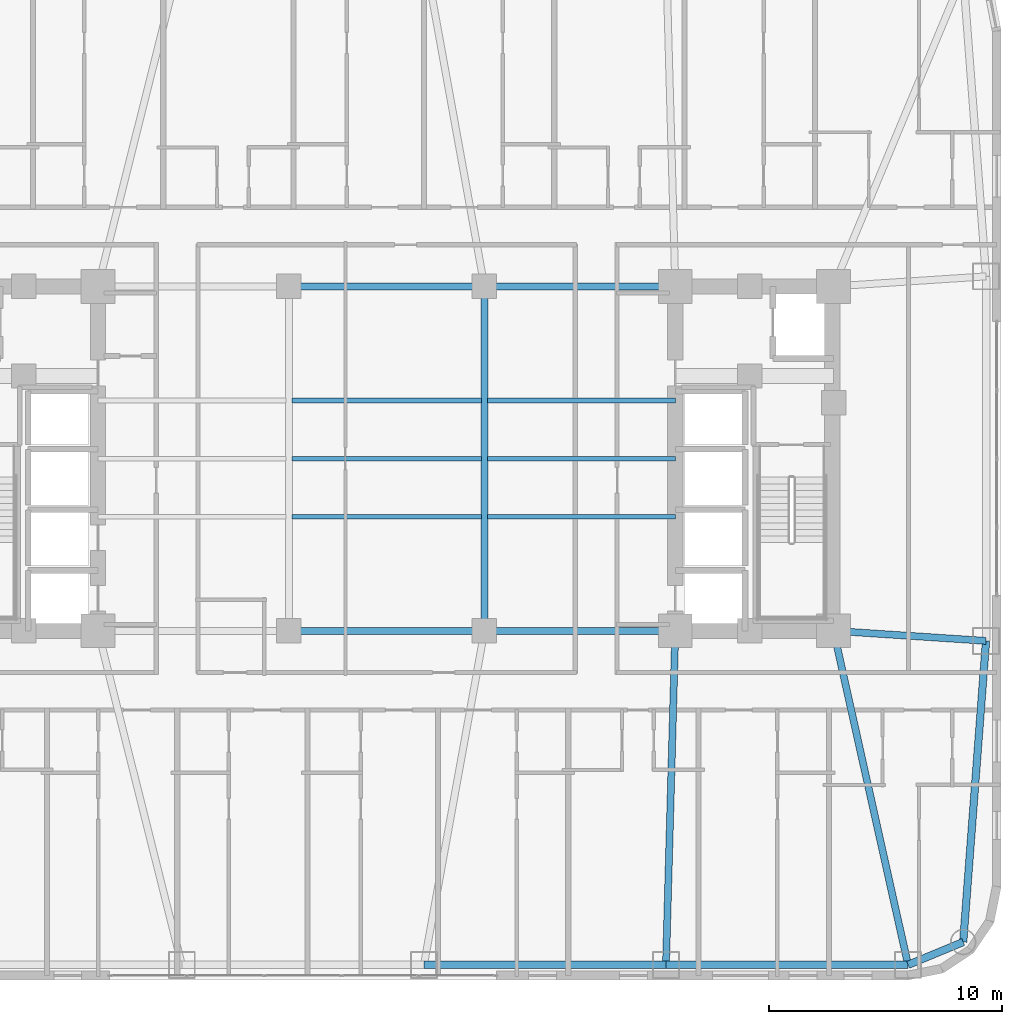
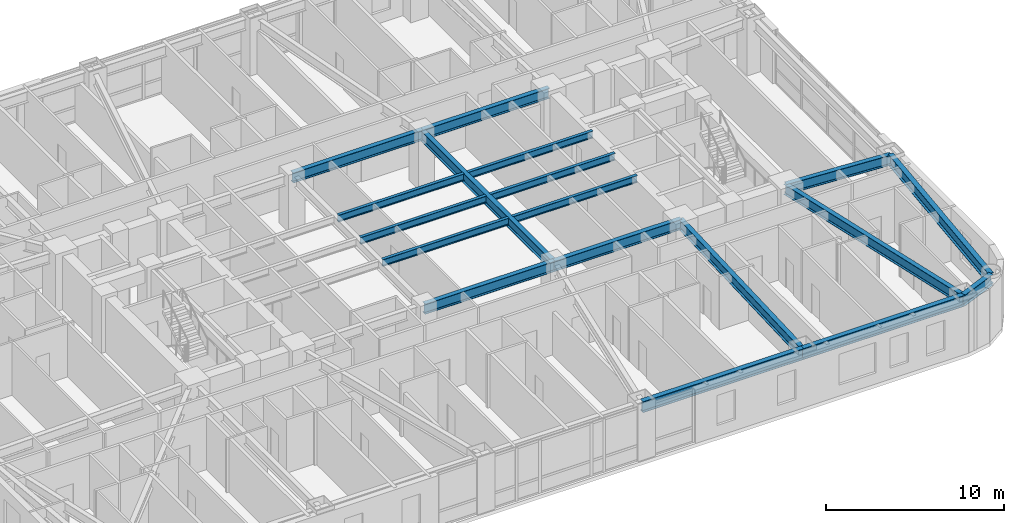
# One storey, part 10 of 28: 18 beams.
"""IFC4 building model written with IfcOpenShell, lengths in metres."""

from ifc_helpers import new_model, si_unit, direction, frame, origin, origin_2d, place, context, subcontext, project, spatial, i_section, extrude, material, material_profile, profile_set, type_object, element, save


model = new_model("IFC4")

# Units and contexts
model_context = context("Model", 3, precision=1e-05, world=origin(), true_north=direction((0.0, 1.0)))
body_context = subcontext(model_context, "Body", "Model", "MODEL_VIEW")
ifc_project = project(units=[si_unit("LENGTHUNIT", "METRE"), si_unit("AREAUNIT", "SQUARE_METRE"), si_unit("VOLUMEUNIT", "CUBIC_METRE"), si_unit("PLANEANGLEUNIT", "RADIAN"), si_unit("MASSUNIT", "GRAM", prefix="KILO")], contexts=[model_context])

# Site, building, storey
site_placement = place(None, origin())
site = spatial("IfcSite", under=ifc_project, at=site_placement, CompositionType="ELEMENT")
building_placement = place(site_placement, origin())
building = spatial("IfcBuilding", under=site, at=building_placement, Name="Voryun Gate Residences", CompositionType="ELEMENT")
storey_placement = place(building_placement, frame((0.0, 0.0, 61.10009765625)))
storey = spatial("IfcBuildingStorey", under=building, at=storey_placement, Name="L14", CompositionType="ELEMENT", Elevation=61.10009765625)

# Beams
ifc_material_1 = material(Name="Steel SM355", Category="steel")
ifc_material_profile_1 = material_profile(ifc_material_1, i_section(OverallWidth=0.320068359375, OverallDepth=0.75, WebThickness=0.01611328125, FlangeThickness=0.028076171875, FilletRadius=0.01806640625, at=origin_2d()), Name="H-750x320x16x28")
ifc_profile_set_1 = profile_set([ifc_material_profile_1], Name="Steel SM355")
beam_type_1 = type_object("IfcBeamType", Name="BM_EXO_SPANDREL_L", PredefinedType="SPANDREL", material=ifc_profile_set_1)
for number, where, z_axis, x_axis, name in (
    (1, (1.60009765625, -21.75, 3.27490234375), (1.0, 0.0, 0.0), (0.0, 1.0, 0.0), "BM-L14-SPAND-04"),
    (2, (12.0, -21.75, 3.27490234375), (1.0, 0.0, 0.0), (0.0, 1.0, 0.0), "BM-L14-SPAND-05"),
):
    element("IfcBeam", number, at=place(storey_placement, frame(where, z_axis=z_axis, x_axis=x_axis)), inside=storey, type_object=beam_type_1, Name=name, PredefinedType="SPANDREL", context=body_context, shape_type="SweptSolid", body=[
        extrude(i_section(OverallWidth=0.320068359375, OverallDepth=0.75, WebThickness=0.01611328125, FlangeThickness=0.028076171875, FilletRadius=0.01806640625, at=origin_2d()), origin(), (0.0, 0.0, 1.0), 10.39990234375),
    ])
beam_1_placement = place(storey_placement, frame((22.39990234375, -21.75, 3.27490234375), z_axis=(0.923883376753, 0.382674151414, 0.0), x_axis=(-0.382674151414, 0.923883376753, 0.0)))
element("IfcBeam", 3, at=beam_1_placement, inside=storey, type_object=beam_type_1, Name="BM-L14-SPAND-06", PredefinedType="SPANDREL", context=body_context, shape_type="SweptSolid", body=[
    extrude(i_section(OverallWidth=0.320068359375, OverallDepth=0.75, WebThickness=0.01611328125, FlangeThickness=0.028076171875, FilletRadius=0.01806640625, at=origin_2d()), origin(), (0.0, 0.0, 1.0), 2.56396484375),
])
beam_2_placement = place(storey_placement, frame((24.768798828125, -20.768798828125, 3.27490234375), z_axis=(0.075617360159, 0.997136908776, 0.0), x_axis=(-0.997136908776, 0.075617360159, 0.0)))
element("IfcBeam", 4, at=beam_2_placement, inside=storey, type_object=beam_type_1, Name="BM-L14-SPAND-07", PredefinedType="SPANDREL", context=body_context, shape_type="SweptSolid", body=[
    extrude(i_section(OverallWidth=0.320068359375, OverallDepth=0.75, WebThickness=0.01611328125, FlangeThickness=0.028076171875, FilletRadius=0.01806640625, at=origin_2d()), origin(), (0.0, 0.0, 1.0), 12.975830078125),
])
ifc_material_2 = material(Name="Steel SM355", Category="steel")
ifc_material_profile_2 = material_profile(ifc_material_2, i_section(OverallWidth=0.300048828125, OverallDepth=0.699951171875, WebThickness=0.012939453125, FlangeThickness=0.02392578125, FilletRadius=0.01806640625, at=origin_2d()), Name="H-700x300x13x24")
ifc_profile_set_2 = profile_set([ifc_material_profile_2], Name="Steel SM355")
beam_type_2 = type_object("IfcBeamType", Name="BM_GIRD_700", PredefinedType="USERDEFINED", material=ifc_profile_set_2)
beam_3_placement = place(storey_placement, frame((-4.199951171875, -7.39990234375, 3.2998046875), z_axis=(1.0, 0.0, 0.0), x_axis=(0.0, 1.0, 0.0)))
element("IfcBeam", 5, at=beam_3_placement, inside=storey, type_object=beam_type_2, Name="BM-L14-SPG2-S", ObjectType="GIRDER", PredefinedType="USERDEFINED", context=body_context, shape_type="SweptSolid", body=[
    extrude(i_section(OverallWidth=0.300048828125, OverallDepth=0.699951171875, WebThickness=0.012939453125, FlangeThickness=0.02392578125, FilletRadius=0.01806640625, at=origin_2d()), origin(), (0.0, 0.0, 1.0), 8.39990234375),
])
beam_4_placement = place(storey_placement, frame((4.199951171875, -7.39990234375, 3.2998046875), z_axis=(1.0, 0.0, 0.0), x_axis=(0.0, 1.0, 0.0)))
element("IfcBeam", 6, at=beam_4_placement, inside=storey, type_object=beam_type_2, Name="BM-L14-SPG3-S", ObjectType="GIRDER", PredefinedType="USERDEFINED", context=body_context, shape_type="SweptSolid", body=[
    extrude(i_section(OverallWidth=0.300048828125, OverallDepth=0.699951171875, WebThickness=0.012939453125, FlangeThickness=0.02392578125, FilletRadius=0.01806640625, at=origin_2d()), origin(), (0.0, 0.0, 1.0), 8.199951171875),
])
beam_5_placement = place(storey_placement, frame((-4.199951171875, 7.39990234375, 3.2998046875), z_axis=(1.0, 0.0, 0.0), x_axis=(0.0, 1.0, 0.0)))
element("IfcBeam", 7, at=beam_5_placement, inside=storey, type_object=beam_type_2, Name="BM-L14-SPG2-N", ObjectType="GIRDER", PredefinedType="USERDEFINED", context=body_context, shape_type="SweptSolid", body=[
    extrude(i_section(OverallWidth=0.300048828125, OverallDepth=0.699951171875, WebThickness=0.012939453125, FlangeThickness=0.02392578125, FilletRadius=0.01806640625, at=origin_2d()), origin(), (0.0, 0.0, 1.0), 8.39990234375),
])
beam_6_placement = place(storey_placement, frame((4.199951171875, 7.39990234375, 3.2998046875), z_axis=(1.0, 0.0, 0.0), x_axis=(0.0, 1.0, 0.0)))
element("IfcBeam", 8, at=beam_6_placement, inside=storey, type_object=beam_type_2, Name="BM-L14-SPG3-N", ObjectType="GIRDER", PredefinedType="USERDEFINED", context=body_context, shape_type="SweptSolid", body=[
    extrude(i_section(OverallWidth=0.300048828125, OverallDepth=0.699951171875, WebThickness=0.012939453125, FlangeThickness=0.02392578125, FilletRadius=0.01806640625, at=origin_2d()), origin(), (0.0, 0.0, 1.0), 8.199951171875),
])
beam_7_placement = place(storey_placement, frame((4.199951171875, -7.39990234375, 3.2998046875), z_axis=(0.0, 1.0, 0.0), x_axis=(-1.0, 0.0, 0.0)))
element("IfcBeam", 9, at=beam_7_placement, inside=storey, type_object=beam_type_2, Name="BM-L14-SPX-E", ObjectType="GIRDER", PredefinedType="USERDEFINED", context=body_context, shape_type="SweptSolid", body=[
    extrude(i_section(OverallWidth=0.300048828125, OverallDepth=0.699951171875, WebThickness=0.012939453125, FlangeThickness=0.02392578125, FilletRadius=0.01806640625, at=origin_2d()), origin(), (0.0, 0.0, 1.0), 14.7998046875),
])
beam_8_placement = place(storey_placement, frame((12.39990234375, -7.39990234375, 3.2998046875), z_axis=(-0.0278567548, -0.999611925305, 0.0), x_axis=(0.999611925305, -0.0278567548, 0.0)))
element("IfcBeam", 10, at=beam_8_placement, inside=storey, type_object=beam_type_2, Name="BM-L14-RAD-S5", ObjectType="GIRDER", PredefinedType="USERDEFINED", context=body_context, shape_type="SweptSolid", body=[
    extrude(i_section(OverallWidth=0.300048828125, OverallDepth=0.699951171875, WebThickness=0.012939453125, FlangeThickness=0.02392578125, FilletRadius=0.01806640625, at=origin_2d()), origin(), (0.0, 0.0, 1.0), 14.355712890625),
])
beam_9_placement = place(storey_placement, frame((19.199951171875, -7.39990234375, 3.2998046875), z_axis=(0.217645991352, -0.976027777498, 0.0), x_axis=(0.976027777498, 0.217645991352, 0.0)))
element("IfcBeam", 11, at=beam_9_placement, inside=storey, type_object=beam_type_2, Name="BM-L14-RAD-S6", ObjectType="GIRDER", PredefinedType="USERDEFINED", context=body_context, shape_type="SweptSolid", body=[
    extrude(i_section(OverallWidth=0.300048828125, OverallDepth=0.699951171875, WebThickness=0.012939453125, FlangeThickness=0.02392578125, FilletRadius=0.01806640625, at=origin_2d()), origin(), (0.0, 0.0, 1.0), 14.70263671875),
])
beam_10_placement = place(storey_placement, frame((19.199951171875, -7.39990234375, 3.2998046875), z_axis=(0.997850335415, -0.06553402255, 0.0), x_axis=(0.06553402255, 0.997850335415, 0.0)))
element("IfcBeam", 12, at=beam_10_placement, inside=storey, type_object=beam_type_2, Name="BM-L14-RAD-E1", ObjectType="GIRDER", PredefinedType="USERDEFINED", context=body_context, shape_type="SweptSolid", body=[
    extrude(i_section(OverallWidth=0.300048828125, OverallDepth=0.699951171875, WebThickness=0.012939453125, FlangeThickness=0.02392578125, FilletRadius=0.01806640625, at=origin_2d()), origin(), (0.0, 0.0, 1.0), 6.564208984375),
])
ifc_material_3 = material(Name="Steel SM355", Category="steel")
ifc_material_profile_3 = material_profile(ifc_material_3, i_section(OverallWidth=0.199951171875, OverallDepth=0.47998046875, WebThickness=0.010009765625, FlangeThickness=0.01806640625, FilletRadius=0.01806640625, at=origin_2d()), Name="H-480x200x10x18")
ifc_profile_set_3 = profile_set([ifc_material_profile_3], Name="Steel SM355")
beam_type_3 = type_object("IfcBeamType", Name="BM_SEC_480", PredefinedType="BEAM", material=ifc_profile_set_3)
beam_11_placement = place(storey_placement, frame((-4.074951171875, -2.5, 3.409912109375), z_axis=(1.0, 0.0, 0.0), x_axis=(0.0, 1.0, 0.0)))
element("IfcBeam", 13, at=beam_11_placement, inside=storey, type_object=beam_type_3, Name="BM-L14-SEC-CS2", PredefinedType="BEAM", context=body_context, shape_type="SweptSolid", body=[
    extrude(i_section(OverallWidth=0.199951171875, OverallDepth=0.47998046875, WebThickness=0.010009765625, FlangeThickness=0.01806640625, FilletRadius=0.01806640625, at=origin_2d()), origin(), (0.0, 0.0, 1.0), 8.14990234375),
])
beam_12_placement = place(storey_placement, frame((4.324951171875, -2.5, 3.409912109375), z_axis=(1.0, 0.0, 0.0), x_axis=(0.0, 1.0, 0.0)))
element("IfcBeam", 14, at=beam_12_placement, inside=storey, type_object=beam_type_3, Name="BM-L14-SEC-CS3", PredefinedType="BEAM", context=body_context, shape_type="SweptSolid", body=[
    extrude(i_section(OverallWidth=0.199951171875, OverallDepth=0.47998046875, WebThickness=0.010009765625, FlangeThickness=0.01806640625, FilletRadius=0.01806640625, at=origin_2d()), origin(), (0.0, 0.0, 1.0), 8.074951171875),
])
beam_13_placement = place(storey_placement, frame((-4.074951171875, 0.0, 3.409912109375), z_axis=(1.0, 0.0, 0.0), x_axis=(0.0, 1.0, 0.0)))
element("IfcBeam", 15, at=beam_13_placement, inside=storey, type_object=beam_type_3, Name="BM-L14-SEC-CM2", PredefinedType="BEAM", context=body_context, shape_type="SweptSolid", body=[
    extrude(i_section(OverallWidth=0.199951171875, OverallDepth=0.47998046875, WebThickness=0.010009765625, FlangeThickness=0.01806640625, FilletRadius=0.01806640625, at=origin_2d()), origin(), (0.0, 0.0, 1.0), 8.14990234375),
])
beam_14_placement = place(storey_placement, frame((4.324951171875, 0.0, 3.409912109375), z_axis=(1.0, 0.0, 0.0), x_axis=(0.0, 1.0, 0.0)))
element("IfcBeam", 16, at=beam_14_placement, inside=storey, type_object=beam_type_3, Name="BM-L14-SEC-CM3", PredefinedType="BEAM", context=body_context, shape_type="SweptSolid", body=[
    extrude(i_section(OverallWidth=0.199951171875, OverallDepth=0.47998046875, WebThickness=0.010009765625, FlangeThickness=0.01806640625, FilletRadius=0.01806640625, at=origin_2d()), origin(), (0.0, 0.0, 1.0), 8.074951171875),
])
beam_15_placement = place(storey_placement, frame((-4.074951171875, 2.5, 3.409912109375), z_axis=(1.0, 0.0, 0.0), x_axis=(0.0, 1.0, 0.0)))
element("IfcBeam", 17, at=beam_15_placement, inside=storey, type_object=beam_type_3, Name="BM-L14-SEC-CN2", PredefinedType="BEAM", context=body_context, shape_type="SweptSolid", body=[
    extrude(i_section(OverallWidth=0.199951171875, OverallDepth=0.47998046875, WebThickness=0.010009765625, FlangeThickness=0.01806640625, FilletRadius=0.01806640625, at=origin_2d()), origin(), (0.0, 0.0, 1.0), 8.14990234375),
])
beam_16_placement = place(storey_placement, frame((4.324951171875, 2.5, 3.409912109375), z_axis=(1.0, 0.0, 0.0), x_axis=(0.0, 1.0, 0.0)))
element("IfcBeam", 18, at=beam_16_placement, inside=storey, type_object=beam_type_3, Name="BM-L14-SEC-CN3", PredefinedType="BEAM", context=body_context, shape_type="SweptSolid", body=[
    extrude(i_section(OverallWidth=0.199951171875, OverallDepth=0.47998046875, WebThickness=0.010009765625, FlangeThickness=0.01806640625, FilletRadius=0.01806640625, at=origin_2d()), origin(), (0.0, 0.0, 1.0), 8.074951171875),
])

save(model, "model.ifc")
